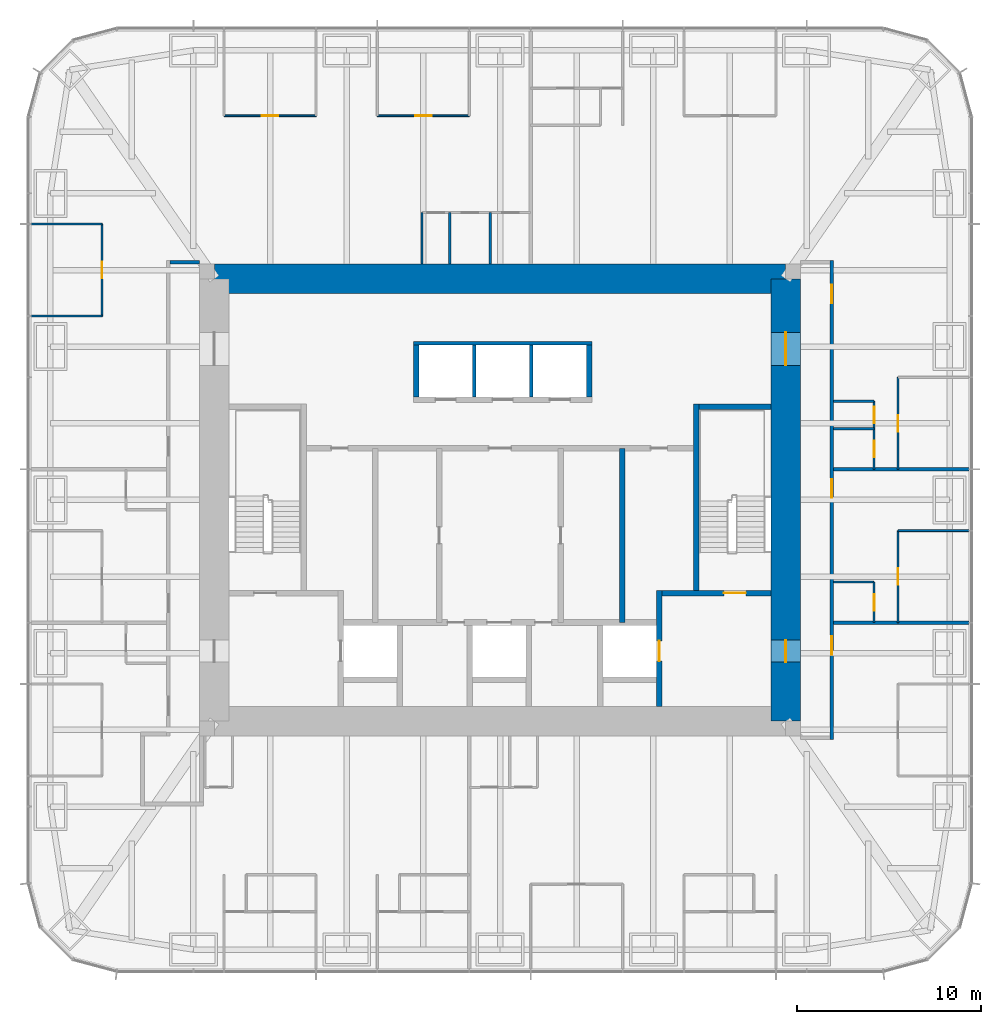
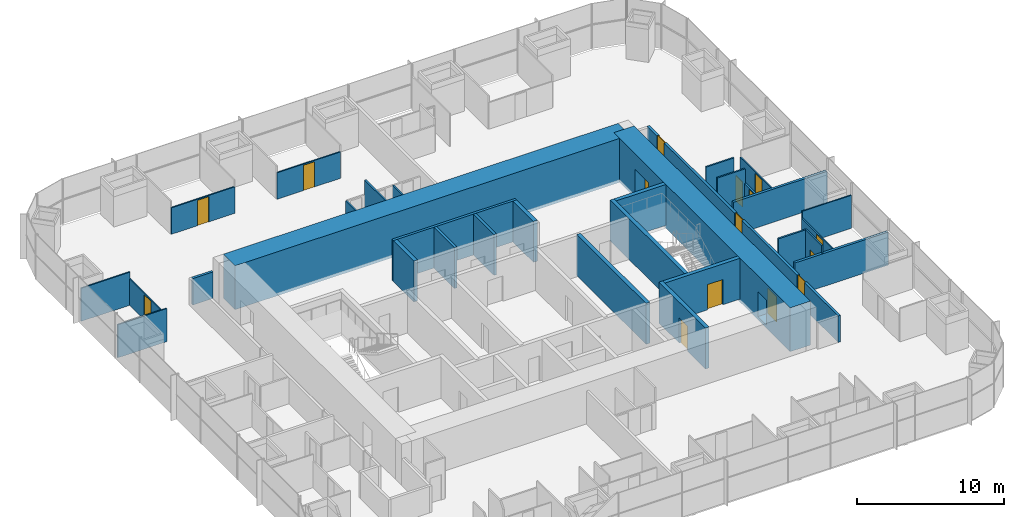
# One storey, part 11 of 13: 32 walls, 15 doors, 15 openings.
"""IFC4 building model written with IfcOpenShell, lengths in metres."""

import ifcopenshell
import ifcopenshell.guid

model = None  # the IFC model being written
_history = None  # IfcOwnerHistory: only IFC2X3 demands one
_inside = {}  # id of a spatial element -> (the spatial element, [elements in it])
_under = {}  # id of a project, library or spatial element -> (it, [spatial elements below it])
_declared = {}  # id of a project -> (the project, [libraries it declares])
_typed = {}  # id of a type object -> (the type object, [elements of that type])
_made_of = {}  # id of a material, layer set ... -> (it, [elements and type objects made of it])


def new_model(schema):
    """Start an empty IFC model of exactly this schema.

    Asked for "IFC4X3", IfcOpenShell would pick the latest addendum, in which some entities
    have other attributes; the version numbers below select the first issue.
    IFC2X3 requires an IfcOwnerHistory on every rooted entity: one is made here for all.
    """
    global model, _history
    if schema == "IFC4X3":
        model = ifcopenshell.file(schema_version=(4, 3, 0, 0))
    else:
        model = ifcopenshell.file(schema=schema)
    _inside.clear()
    _under.clear()
    _declared.clear()
    _typed.clear()
    _made_of.clear()
    _history = None
    if model.schema == "IFC2X3":
        org = make("IfcOrganization", Name="unknown")
        user = make(
            "IfcPersonAndOrganization",
            ThePerson=make("IfcPerson", FamilyName="unknown"),
            TheOrganization=org,
        )
        app = make(
            "IfcApplication",
            ApplicationDeveloper=org,
            Version="unknown",
            ApplicationFullName="unknown",
            ApplicationIdentifier="unknown",
        )
        _history = make(
            "IfcOwnerHistory",
            OwningUser=user,
            OwningApplication=app,
            ChangeAction="ADDED",
            CreationDate=0,
        )
    return model


def make(cls, **values):
    """One entity of the class cls with the attributes given. An attribute that is None is left unset."""
    return model.create_entity(
        cls, **{name: value for name, value in values.items() if value is not None}
    )


def rooted(cls, **values):
    """An entity with a GlobalId (a new one), such as an element, a storey or a relation."""
    return make(cls, GlobalId=ifcopenshell.guid.new(), OwnerHistory=_history, **values)


def si_unit(unit_type, name, prefix=None):
    """IfcSIUnit, for example si_unit("LENGTHUNIT", "METRE", prefix="MILLI")."""
    return make("IfcSIUnit", UnitType=unit_type, Prefix=prefix, Name=name)


def assignment(units):
    """IfcUnitAssignment: the units of a project."""
    return None if units is None else make("IfcUnitAssignment", Units=units)


def point(xyz):
    """IfcCartesianPoint."""
    return None if xyz is None else make("IfcCartesianPoint", Coordinates=xyz)


def direction(xyz):
    """IfcDirection."""
    return None if xyz is None else make("IfcDirection", DirectionRatios=xyz)


def frame(location, z_axis=None, x_axis=None):
    """IfcAxis2Placement3D, a coordinate frame: its origin and axes. An axis left out is left unset."""
    return make(
        "IfcAxis2Placement3D",
        Location=point(location),
        Axis=direction(z_axis),
        RefDirection=direction(x_axis),
    )


def frame_2d(location, x_axis=None):
    """IfcAxis2Placement2D, a coordinate frame in the plane: its origin and x axis."""
    return make(
        "IfcAxis2Placement2D", Location=point(location), RefDirection=direction(x_axis)
    )


def origin():
    """The frame at (0, 0, 0) with its axes left unset."""
    return frame((0.0, 0.0, 0.0))


def place(relative_to, where):
    """IfcLocalPlacement: puts the frame where relative to a parent placement (None: the world)."""
    return make(
        "IfcLocalPlacement", PlacementRelTo=relative_to, RelativePlacement=where
    )


def context(
    kind, dimensions, precision=None, world=None, true_north=None, identifier=None
):
    """IfcGeometricRepresentationContext, for example the 3D "Model" context."""
    return make(
        "IfcGeometricRepresentationContext",
        ContextIdentifier=identifier,
        ContextType=kind,
        CoordinateSpaceDimension=dimensions,
        Precision=precision,
        WorldCoordinateSystem=world,
        TrueNorth=true_north,
    )


def subcontext(parent, identifier, kind, view, scale=None):
    """IfcGeometricRepresentationSubContext, for example "Body" below "Model"."""
    return make(
        "IfcGeometricRepresentationSubContext",
        ContextIdentifier=identifier,
        ContextType=kind,
        ParentContext=parent,
        TargetScale=scale,
        TargetView=view,
    )


def project(units=None, contexts=None):
    """IfcProject with its units and contexts."""
    return rooted(
        "IfcProject",
        Name="project",
        RepresentationContexts=contexts,
        UnitsInContext=assignment(units),
    )


def spatial(cls, under=None, at=None, **own):
    """A site, building, storey or space (cls), placed at a placement, below another one or the project."""
    s = rooted(cls, ObjectPlacement=at, **own)
    if under is not None:
        _under.setdefault(under.id(), (under, []))[1].append(s)
    return s


def profile(cls, at=None, kind="AREA", **sizes):
    """A parametric profile (cls). Its sizes go by their IFC names, for example OverallWidth=200.0."""
    return make(cls, ProfileType=kind, Position=at, **sizes)


def rectangle(**sizes):
    """IfcRectangleProfileDef."""
    return profile("IfcRectangleProfileDef", **sizes)


def extrude(swept, where, along, depth):
    """IfcExtrudedAreaSolid: the profile swept, set in the frame where, extruded along a direction by depth."""
    return make(
        "IfcExtrudedAreaSolid",
        SweptArea=swept,
        Position=where,
        ExtrudedDirection=direction(along),
        Depth=depth,
    )


def shape(context_of_items, identifier, shape_type, items):
    """IfcShapeRepresentation: the items that make up one representation, for example the "Body"."""
    return make(
        "IfcShapeRepresentation",
        ContextOfItems=context_of_items,
        RepresentationIdentifier=identifier,
        RepresentationType=shape_type,
        Items=items,
    )


def material(Name=None, Category=None):
    """IfcMaterial."""
    return make("IfcMaterial", Name=Name, Category=Category)


def layer(
    of_material, thickness, ventilated=None, Name=None, Category=None, Priority=None
):
    """IfcMaterialLayer: one layer of a wall or slab, of a material (None: an air gap)."""
    return make(
        "IfcMaterialLayer",
        Material=of_material,
        LayerThickness=thickness,
        IsVentilated=ventilated,
        Name=Name,
        Category=Category,
        Priority=Priority,
    )


def layer_set(layers, Name=None):
    """IfcMaterialLayerSet."""
    return make("IfcMaterialLayerSet", MaterialLayers=layers, LayerSetName=Name)


def made_of(thing, what):
    """Note that an element or type object is made of a material, layer set ...; save() writes the relation."""
    if what is not None:
        _made_of.setdefault(what.id(), (what, []))[1].append(thing)
    return thing


def type_object(cls, material=None, **own):
    """A type object (cls), such as IfcWallType, which elements share."""
    return made_of(rooted(cls, **own), material)


def element(
    cls,
    number,
    at=None,
    inside=None,
    cuts=None,
    type_object=None,
    material=None,
    context=None,
    identifier="Body",
    shape_type=None,
    held_by="IfcProductDefinitionShape",
    body=None,
    shapes=None,
    **own,
):
    """One element of the class cls, such as IfcWall. Its Tag is "e" and its number.

    at: its placement. inside: the storey or other place that contains it. cuts: it is an
    opening in that element (IfcRelVoidsElement). A single representation is given by context,
    identifier, shape_type and body (its items); several are given by shapes. held_by: the class
    of the entity that holds the representations. save() writes the other relations.
    """
    e = rooted(cls, Tag="e%d" % number, ObjectPlacement=at, **own)
    if body is not None:
        shapes = [shape(context, identifier, shape_type, body)]
    if shapes is not None:
        e.Representation = make(held_by, Representations=shapes)
    if inside is not None:
        _inside.setdefault(inside.id(), (inside, []))[1].append(e)
    if cuts is not None:
        rooted(
            "IfcRelVoidsElement", RelatingBuildingElement=cuts, RelatedOpeningElement=e
        )
    if type_object is not None:
        _typed.setdefault(type_object.id(), (type_object, []))[1].append(e)
    return made_of(e, material)


def fill(opening, filler):
    """IfcRelFillsElement: the door or window that sits in an opening."""
    return rooted(
        "IfcRelFillsElement",
        RelatingOpeningElement=opening,
        RelatedBuildingElement=filler,
    )


def aggregate(whole, parts):
    """IfcRelAggregates: a whole, such as a stair, and the parts it consists of."""
    return rooted("IfcRelAggregates", RelatingObject=whole, RelatedObjects=parts)


def save(model, path):
    """Write the relations noted so far, then the file.

    IfcRelAggregates (storeys below a building ...), IfcRelContainedInSpatialStructure (elements
    in a storey), IfcRelDefinesByType, IfcRelAssociatesMaterial and IfcRelDeclares: one each for
    every whole, place, type object, material and project.
    """
    for whole, parts in _under.values():
        aggregate(whole, parts)
    for where, things in _inside.values():
        rooted(
            "IfcRelContainedInSpatialStructure",
            RelatedElements=things,
            RelatingStructure=where,
        )
    for kind, things in _typed.values():
        rooted("IfcRelDefinesByType", RelatedObjects=things, RelatingType=kind)
    for what, things in _made_of.values():
        rooted("IfcRelAssociatesMaterial", RelatedObjects=things, RelatingMaterial=what)
    for by, libraries in _declared.values():
        rooted("IfcRelDeclares", RelatingContext=by, RelatedDefinitions=libraries)
    model.write(path)


model = new_model("IFC4")

# Units and contexts
model_context = context("Model", 3, precision=1e-05, world=origin(), true_north=direction((0.0, 1.0)))
body_context = subcontext(model_context, "Body", "Model", "MODEL_VIEW")
ifc_project = project(units=[si_unit("LENGTHUNIT", "METRE"), si_unit("AREAUNIT", "SQUARE_METRE"), si_unit("VOLUMEUNIT", "CUBIC_METRE"), si_unit("PLANEANGLEUNIT", "RADIAN"), si_unit("MASSUNIT", "GRAM", prefix="KILO")], contexts=[model_context])

# Site, building, storey
site_placement = place(None, origin())
site = spatial("IfcSite", under=ifc_project, at=site_placement, CompositionType="ELEMENT")
building_placement = place(site_placement, origin())
building = spatial("IfcBuilding", under=site, at=building_placement, Name="Khuree Lantern Residences", CompositionType="ELEMENT")
storey_placement = place(building_placement, frame((0.0, 0.0, 274.5)))
storey = spatial("IfcBuildingStorey", under=building, at=storey_placement, Name="L69", CompositionType="ELEMENT", Elevation=274.5)

# Wall, opening, door
ifc_material_1 = material(Name="Moisture-resistant gypsum board on steel studs", Category="steel")
ifc_layer_1 = layer(ifc_material_1, 0.125)
ifc_layer_set_1 = layer_set([ifc_layer_1], Name="BATHROOM WALL BTW125")
wall_type_1 = type_object("IfcWallType", Name="BATHROOM WALL BTW125", PredefinedType="PARTITIONING", material=ifc_layer_set_1)
wall_1_placement = place(storey_placement, frame((20.300048828125, -6.656005859375, 0.0), z_axis=(0.0, 0.0, 1.0), x_axis=(0.0, 1.0, 0.0)))
wall_1 = element("IfcWall", 1, at=wall_1_placement, inside=storey, type_object=wall_type_1, Name="L69 BATHROOM WALL 01", PredefinedType="PARTITIONING", context=body_context, shape_type="SweptSolid", body=[
    extrude(rectangle(XDim=2.199951171875, YDim=0.125, at=frame_2d((1.10009765625, 0.0))), origin(), (0.0, 0.0, 1.0), 3.39990234375),
])
opening_1_placement = place(wall_1_placement, frame((0.64990234375, 0.0, 0.0)))
opening_1 = element("IfcOpeningElement", 2, at=opening_1_placement, cuts=wall_1, Name="Opening 69-021", PredefinedType="OPENING", context=body_context, shape_type="SweptSolid", body=[
    extrude(rectangle(XDim=0.89990234375, YDim=2.10009765625, at=frame_2d((0.449951171875, 1.050048828125))), frame((0.0, 0.072509765625, 0.0), z_axis=(0.0, -1.0, 0.0), x_axis=(1.0, 0.0, 0.0)), (0.0, 0.0, 1.0), 0.14501953125),
])
ifc_material_2 = material(Name="Timber door leaf in hardwood frame", Category="wood")
door_type_1 = type_object("IfcDoorType", Name="BATHROOM DOOR 900X2100", OperationType="SINGLE_SWING_LEFT", PredefinedType="DOOR", material=ifc_material_2)
door_1_placement = place(opening_1_placement, origin())
door_1 = element("IfcDoor", 3, at=door_1_placement, inside=storey, type_object=door_type_1, Name="Bathroom door 69-021", OperationType="SINGLE_SWING_LEFT", OverallHeight=2.10009765625, OverallWidth=0.89990234375, PredefinedType="DOOR", context=body_context, shape_type="SweptSolid", body=[
    extrude(rectangle(XDim=0.89990234375, YDim=2.10009765625, at=frame_2d((0.449951171875, 1.050048828125))), frame((0.0, 0.02490234375, 0.0), z_axis=(0.0, -1.0, 0.0), x_axis=(1.0, 0.0, 0.0)), (0.0, 0.0, 1.0), 0.050048828125),
])
fill(opening_1, door_1)

# Wall
wall_2_placement = place(storey_placement, frame((18.10009765625, -4.4560546875, 0.0), z_axis=(0.0, 0.0, 1.0), x_axis=(1.0, 0.0, 0.0)))
element("IfcWall", 4, at=wall_2_placement, inside=storey, type_object=wall_type_1, Name="L69 BATHROOM WALL 01", PredefinedType="PARTITIONING", context=body_context, shape_type="SweptSolid", body=[
    extrude(rectangle(XDim=2.199951171875, YDim=0.125, at=frame_2d((1.10009765625, 0.0))), origin(), (0.0, 0.0, 1.0), 3.39990234375),
])

# Wall, openings, doors
wall_3_placement = place(storey_placement, frame((20.300048828125, 1.6640625, 0.0), z_axis=(0.0, 0.0, 1.0), x_axis=(0.0, 1.0, 0.0)))
wall_3 = element("IfcWall", 5, at=wall_3_placement, inside=storey, type_object=wall_type_1, Name="L69 BATHROOM WALL 02", PredefinedType="PARTITIONING", context=body_context, shape_type="SweptSolid", body=[
    extrude(rectangle(XDim=3.699951171875, YDim=0.125, at=frame_2d((1.85009765625, 0.0))), origin(), (0.0, 0.0, 1.0), 2.199951171875),
])
opening_2_placement = place(wall_3_placement, frame((0.64990234375, 0.0, 0.0)))
opening_2 = element("IfcOpeningElement", 6, at=opening_2_placement, cuts=wall_3, Name="Opening 69-027", PredefinedType="OPENING", context=body_context, shape_type="SweptSolid", body=[
    extrude(rectangle(XDim=0.89990234375, YDim=2.10009765625, at=frame_2d((0.449951171875, 1.050048828125))), frame((0.0, 0.072509765625, 0.0), z_axis=(0.0, -1.0, 0.0), x_axis=(1.0, 0.0, 0.0)), (0.0, 0.0, 1.0), 0.14501953125),
])
opening_3_placement = place(wall_3_placement, frame((2.5, 0.0, 0.0)))
opening_3 = element("IfcOpeningElement", 7, at=opening_3_placement, cuts=wall_3, Name="Opening 69-028", PredefinedType="OPENING", context=body_context, shape_type="SweptSolid", body=[
    extrude(rectangle(XDim=0.89990234375, YDim=2.10009765625, at=frame_2d((0.449951171875, 1.050048828125))), frame((0.0, 0.072509765625, 0.0), z_axis=(0.0, -1.0, 0.0), x_axis=(1.0, 0.0, 0.0)), (0.0, 0.0, 1.0), 0.14501953125),
])
door_2_placement = place(opening_2_placement, origin())
door_2 = element("IfcDoor", 8, at=door_2_placement, inside=storey, type_object=door_type_1, Name="Bathroom door 69-027", OperationType="SINGLE_SWING_LEFT", OverallHeight=2.10009765625, OverallWidth=0.89990234375, PredefinedType="DOOR", context=body_context, shape_type="SweptSolid", body=[
    extrude(rectangle(XDim=0.89990234375, YDim=2.10009765625, at=frame_2d((0.449951171875, 1.050048828125))), frame((0.0, 0.02490234375, 0.0), z_axis=(0.0, -1.0, 0.0), x_axis=(1.0, 0.0, 0.0)), (0.0, 0.0, 1.0), 0.050048828125),
])
fill(opening_2, door_2)
door_type_2 = type_object("IfcDoorType", Name="WC DOOR 900X2100", OperationType="SINGLE_SWING_LEFT", PredefinedType="DOOR", material=ifc_material_2)
door_3_placement = place(opening_3_placement, origin())
door_3 = element("IfcDoor", 9, at=door_3_placement, inside=storey, type_object=door_type_2, Name="WC door 69-028", OperationType="SINGLE_SWING_LEFT", OverallHeight=2.10009765625, OverallWidth=0.89990234375, PredefinedType="DOOR", context=body_context, shape_type="SweptSolid", body=[
    extrude(rectangle(XDim=0.89990234375, YDim=2.10009765625, at=frame_2d((0.449951171875, 1.050048828125))), frame((0.0, 0.02490234375, 0.0), z_axis=(0.0, -1.0, 0.0), x_axis=(1.0, 0.0, 0.0)), (0.0, 0.0, 1.0), 0.050048828125),
])
fill(opening_3, door_3)

# Walls
for number, where, z_axis, x_axis, name in (
    (10, (18.10009765625, 3.864013671875, 0.0), (0.0, 0.0, 1.0), (1.0, 0.0, 0.0), "L69 BATHROOM WALL 02"),
    (11, (18.10009765625, 5.364013671875, 0.0), (0.0, 0.0, 1.0), (1.0, 0.0, 0.0), "L69 BATHROOM WALL 02"),
):
    element("IfcWall", number, at=place(storey_placement, frame(where, z_axis=z_axis, x_axis=x_axis)), inside=storey, type_object=wall_type_1, Name=name, PredefinedType="PARTITIONING", context=body_context, shape_type="SweptSolid", body=[
        extrude(rectangle(XDim=2.199951171875, YDim=0.125, at=frame_2d((1.10009765625, 0.0))), origin(), (0.0, 0.0, 1.0), 3.39990234375),
    ])
wall_4_placement = place(storey_placement, frame((-0.535888671875, 12.800048828125, 0.0), z_axis=(0.0, 0.0, 1.0), x_axis=(0.0, 1.0, 0.0)))
element("IfcWall", 12, at=wall_4_placement, inside=storey, type_object=wall_type_1, Name="L69 BATHROOM WALL 03", PredefinedType="PARTITIONING", context=body_context, shape_type="SweptSolid", body=[
    extrude(rectangle(XDim=2.800048828125, YDim=0.125, at=frame_2d((1.39990234375, 0.0))), origin(), (0.0, 0.0, 1.0), 2.199951171875),
])
wall_5_placement = place(storey_placement, frame((-2.736083984375, 12.800048828125, 0.0), z_axis=(0.0, 0.0, 1.0), x_axis=(0.0, 1.0, 0.0)))
element("IfcWall", 13, at=wall_5_placement, inside=storey, type_object=wall_type_1, Name="L69 BATHROOM WALL 03", PredefinedType="PARTITIONING", context=body_context, shape_type="SweptSolid", body=[
    extrude(rectangle(XDim=2.800048828125, YDim=0.125, at=frame_2d((1.39990234375, 0.0))), origin(), (0.0, 0.0, 1.0), 3.39990234375),
])
wall_6_placement = place(storey_placement, frame((-4.236083984375, 12.800048828125, 0.0), z_axis=(0.0, 0.0, 1.0), x_axis=(0.0, 1.0, 0.0)))
element("IfcWall", 14, at=wall_6_placement, inside=storey, type_object=wall_type_1, Name="L69 BATHROOM WALL 03", PredefinedType="PARTITIONING", context=body_context, shape_type="SweptSolid", body=[
    extrude(rectangle(XDim=2.800048828125, YDim=0.125, at=frame_2d((1.39990234375, 0.0))), origin(), (0.0, 0.0, 1.0), 2.199951171875),
])

# Wall, opening, door
ifc_material_3 = material(Name="Dense concrete blockwork", Category="masonry")
ifc_layer_2 = layer(ifc_material_3, 0.300048828125)
ifc_layer_set_2 = layer_set([ifc_layer_2], Name="CORE PARTITION WALL CPW300 EI 120")
wall_type_2 = type_object("IfcWallType", Name="CORE PARTITION WALL CPW300 EI 120", PredefinedType="PARTITIONING", material=ifc_layer_set_2)
wall_7_placement = place(storey_placement, frame((8.64990234375, -11.199951171875, 0.0), z_axis=(0.0, 0.0, 1.0), x_axis=(0.0, 1.0, 0.0)))
wall_7 = element("IfcWall", 15, at=wall_7_placement, inside=storey, type_object=wall_type_2, Name="L69 CORE WALL FL2E", PredefinedType="PARTITIONING", context=body_context, shape_type="SweptSolid", body=[
    extrude(rectangle(XDim=6.300048828125, YDim=0.300048828125, at=frame_2d((3.14990234375, 0.0))), origin(), (0.0, 0.0, 1.0), 3.39990234375),
])
opening_4_placement = place(wall_7_placement, frame((2.449951171875, 0.0, 0.0)))
opening_4 = element("IfcOpeningElement", 16, at=opening_4_placement, cuts=wall_7, Name="Opening 69-008", PredefinedType="OPENING", context=body_context, shape_type="SweptSolid", body=[
    extrude(rectangle(XDim=1.10009765625, YDim=2.10009765625, at=frame_2d((0.550048828125, 1.050048828125))), frame((0.0, 0.16015625, 0.0), z_axis=(0.0, -1.0, 0.0), x_axis=(1.0, 0.0, 0.0)), (0.0, 0.0, 1.0), 0.320068359375),
])
ifc_material_4 = material(Name="Stainless steel lift landing door", Category="steel")
door_type_3 = type_object("IfcDoorType", Name="LIFT LANDING DOOR 1100X2100 E 120", OperationType="DOUBLE_DOOR_SLIDING", PredefinedType="DOOR", material=ifc_material_4)
door_4_placement = place(opening_4_placement, origin())
door_4 = element("IfcDoor", 17, at=door_4_placement, inside=storey, type_object=door_type_3, Name="Landing door FL2 69-008", OperationType="DOUBLE_DOOR_SLIDING", OverallHeight=2.10009765625, OverallWidth=1.10009765625, PredefinedType="DOOR", context=body_context, shape_type="SweptSolid", body=[
    extrude(rectangle(XDim=1.10009765625, YDim=2.10009765625, at=frame_2d((0.550048828125, 1.050048828125))), frame((0.0, 0.02490234375, 0.0), z_axis=(0.0, -1.0, 0.0), x_axis=(1.0, 0.0, 0.0)), (0.0, 0.0, 1.0), 0.050048828125),
])
fill(opening_4, door_4)

# Walls
for number, where, z_axis, x_axis, name in (
    (18, (-4.550048828125, 5.60009765625, 0.0), (0.0, 0.0, 1.0), (0.0, 1.0, 0.0), "L69 CORE WALL PHW"),
    (19, (4.85009765625, 5.60009765625, 0.0), (0.0, 0.0, 1.0), (0.0, 1.0, 0.0), "L69 CORE WALL PHE"),
):
    element("IfcWall", number, at=place(storey_placement, frame(where, z_axis=z_axis, x_axis=x_axis)), inside=storey, type_object=wall_type_2, Name=name, PredefinedType="PARTITIONING", context=body_context, shape_type="SweptSolid", body=[
        extrude(rectangle(XDim=2.7998046875, YDim=0.300048828125, at=frame_2d((1.39990234375, 0.0))), origin(), (0.0, 0.0, 1.0), 3.39990234375),
    ])
wall_8_placement = place(storey_placement, frame((6.6220703125, -6.64990234375, 0.0), z_axis=(0.0, 0.0, 1.0), x_axis=(0.0, 1.0, 0.0)))
element("IfcWall", 20, at=wall_8_placement, inside=storey, type_object=wall_type_2, Name="L69 CORE WALL EV", PredefinedType="PARTITIONING", context=body_context, shape_type="SweptSolid", body=[
    extrude(rectangle(XDim=9.449951171875, YDim=0.300048828125, at=frame_2d((4.72509765625, 0.0))), origin(), (0.0, 0.0, 1.0), 3.39990234375),
])
ifc_material_5 = material(Name="Gypsum board on steel studs", Category="steel")
ifc_layer_3 = layer(ifc_material_5, 0.199951171875)
ifc_layer_set_3 = layer_set([ifc_layer_3], Name="CORRIDOR WALL CRW200 EI 60")
wall_type_3 = type_object("IfcWallType", Name="CORRIDOR WALL CRW200 EI 60", PredefinedType="PARTITIONING", material=ifc_layer_set_3)
wall_9_placement = place(storey_placement, frame((-16.300048828125, 12.89990234375, 0.0), z_axis=(0.0, 0.0, 1.0), x_axis=(-1.0, 0.0, 0.0)))
element("IfcWall", 21, at=wall_9_placement, inside=storey, type_object=wall_type_3, Name="L69 WEST CORRIDOR NORTH END WALL", PredefinedType="PARTITIONING", context=body_context, shape_type="SweptSolid", body=[
    extrude(rectangle(XDim=1.599853515625, YDim=0.199951171875, at=frame_2d((0.7998046875, 0.0))), origin(), (0.0, 0.0, 1.0), 2.199951171875),
])

# Wall, openings, doors
wall_10_placement = place(storey_placement, frame((18.0, -13.0, 0.0), z_axis=(0.0, 0.0, 1.0), x_axis=(0.0, 1.0, 0.0)))
wall_10 = element("IfcWall", 22, at=wall_10_placement, inside=storey, type_object=wall_type_3, Name="L69 CORRIDOR WALL EAST 1", PredefinedType="PARTITIONING", context=body_context, shape_type="SweptSolid", body=[
    extrude(rectangle(XDim=26.0, YDim=0.199951171875, at=frame_2d((13.0, 0.0))), origin(), (0.0, 0.0, 1.0), 2.199951171875),
])
opening_5_placement = place(wall_10_placement, frame((13.114013671875, 0.0, 0.0)))
opening_5 = element("IfcOpeningElement", 23, at=opening_5_placement, cuts=wall_10, Name="Opening 69-022", PredefinedType="OPENING", context=body_context, shape_type="SweptSolid", body=[
    extrude(rectangle(XDim=1.0, YDim=2.199951171875, at=frame_2d((0.5, 1.10009765625))), frame((0.0, 0.10986328125, 0.0), z_axis=(0.0, -1.0, 0.0), x_axis=(1.0, 0.0, 0.0)), (0.0, 0.0, 1.0), 0.219970703125),
])
opening_6_placement = place(wall_10_placement, frame((23.68408203125, 0.0, 0.0)))
opening_6 = element("IfcOpeningElement", 24, at=opening_6_placement, cuts=wall_10, Name="Opening 69-029", PredefinedType="OPENING", context=body_context, shape_type="SweptSolid", body=[
    extrude(rectangle(XDim=1.0, YDim=2.199951171875, at=frame_2d((0.5, 1.10009765625))), frame((0.0, 0.10986328125, 0.0), z_axis=(0.0, -1.0, 0.0), x_axis=(1.0, 0.0, 0.0)), (0.0, 0.0, 1.0), 0.219970703125),
])
opening_7_placement = place(wall_10_placement, frame((4.60009765625, 0.0, 0.0)))
opening_7 = element("IfcOpeningElement", 25, at=opening_7_placement, cuts=wall_10, Name="Opening 69-054", PredefinedType="OPENING", context=body_context, shape_type="SweptSolid", body=[
    extrude(rectangle(XDim=1.0, YDim=2.199951171875, at=frame_2d((0.5, 1.10009765625))), frame((0.0, 0.10986328125, 0.0), z_axis=(0.0, -1.0, 0.0), x_axis=(1.0, 0.0, 0.0)), (0.0, 0.0, 1.0), 0.219970703125),
])
door_type_4 = type_object("IfcDoorType", Name="APARTMENT ENTRANCE DOOR 1000X2200 EI 30S", OperationType="SINGLE_SWING_LEFT", PredefinedType="DOOR", material=ifc_material_2)
door_5_placement = place(opening_5_placement, origin())
door_5 = element("IfcDoor", 26, at=door_5_placement, inside=storey, type_object=door_type_4, Name="Apartment 01 entrance door 69-022", OperationType="SINGLE_SWING_LEFT", OverallHeight=2.199951171875, OverallWidth=1.0, PredefinedType="DOOR", context=body_context, shape_type="SweptSolid", body=[
    extrude(rectangle(XDim=1.0, YDim=2.199951171875, at=frame_2d((0.5, 1.10009765625))), frame((0.0, 0.02490234375, 0.0), z_axis=(0.0, -1.0, 0.0), x_axis=(1.0, 0.0, 0.0)), (0.0, 0.0, 1.0), 0.050048828125),
])
fill(opening_5, door_5)
door_6_placement = place(opening_7_placement, origin())
door_6 = element("IfcDoor", 27, at=door_6_placement, inside=storey, type_object=door_type_4, Name="Apartment 06 entrance door 69-054", OperationType="SINGLE_SWING_LEFT", OverallHeight=2.199951171875, OverallWidth=1.0, PredefinedType="DOOR", context=body_context, shape_type="SweptSolid", body=[
    extrude(rectangle(XDim=1.0, YDim=2.199951171875, at=frame_2d((0.5, 1.10009765625))), frame((0.0, 0.02490234375, 0.0), z_axis=(0.0, -1.0, 0.0), x_axis=(1.0, 0.0, 0.0)), (0.0, 0.0, 1.0), 0.050048828125),
])
fill(opening_7, door_6)
door_type_5 = type_object("IfcDoorType", Name="APARTMENT ENTRANCE DOOR 1000X2200 EI 30S RIGHT HAND", OperationType="SINGLE_SWING_RIGHT", PredefinedType="DOOR", material=ifc_material_2)
door_7_placement = place(opening_6_placement, origin())
door_7 = element("IfcDoor", 28, at=door_7_placement, inside=storey, type_object=door_type_5, Name="Apartment 02 entrance door 69-029", OperationType="SINGLE_SWING_RIGHT", OverallHeight=2.199951171875, OverallWidth=1.0, PredefinedType="DOOR", context=body_context, shape_type="SweptSolid", body=[
    extrude(rectangle(XDim=1.0, YDim=2.199951171875, at=frame_2d((0.5, 1.10009765625))), frame((0.0, 0.02490234375, 0.0), z_axis=(0.0, -1.0, 0.0), x_axis=(1.0, 0.0, 0.0)), (0.0, 0.0, 1.0), 0.050048828125),
])
fill(opening_6, door_7)

ifc_material_6 = material(Name="Concrete C50/60", Category="concrete")
ifc_layer_4 = layer(ifc_material_6, 1.60009765625)
ifc_layer_set_4 = layer_set([ifc_layer_4], Name="CW1600-C50 CORE WALL C50 1600")
wall_type_4 = type_object("IfcWallType", Name="CW1600-C50 CORE WALL C50 1600", PredefinedType="SHEAR", material=ifc_layer_set_4)
wall_11_placement = place(storey_placement, frame((15.5, -12.0, -0.25), z_axis=(0.0, 0.0, 1.0), x_axis=(0.0, 1.0, 0.0)))
wall_11 = element("IfcWall", 29, at=wall_11_placement, inside=storey, type_object=wall_type_4, Name="Core wall E", PredefinedType="SHEAR", context=body_context, shape_type="SweptSolid", body=[
    extrude(rectangle(XDim=24.0, YDim=1.60009765625, at=frame_2d((12.0, 0.0))), origin(), (0.0, 0.0, 1.0), 3.64990234375),
])
opening_8_placement = place(wall_11_placement, frame((3.199951171875, 0.0, 0.25)))
opening_8 = element("IfcOpeningElement", 30, at=opening_8_placement, cuts=wall_11, Name="Opening 69-005", PredefinedType="OPENING", context=body_context, shape_type="SweptSolid", body=[
    extrude(rectangle(XDim=1.199951171875, YDim=2.10009765625, at=frame_2d((0.60009765625, 1.050048828125))), frame((0.0, 0.81005859375, 0.0), z_axis=(0.0, -1.0, 0.0), x_axis=(1.0, 0.0, 0.0)), (0.0, 0.0, 1.0), 1.6201171875),
])
opening_9_placement = place(wall_11_placement, frame((19.300048828125, 0.0, 0.25)))
opening_9 = element("IfcOpeningElement", 31, at=opening_9_placement, cuts=wall_11, Name="Opening 69-006", PredefinedType="OPENING", context=body_context, shape_type="SweptSolid", body=[
    extrude(rectangle(XDim=1.800048828125, YDim=2.10009765625, at=frame_2d((0.89990234375, 1.050048828125))), frame((0.0, 0.81005859375, 0.0), z_axis=(0.0, -1.0, 0.0), x_axis=(1.0, 0.0, 0.0)), (0.0, 0.0, 1.0), 1.6201171875),
])
ifc_material_7 = material(Name="Steel door leaf in steel frame", Category="steel")
door_type_6 = type_object("IfcDoorType", Name="LOBBY DOOR 1200X2100 EI 120", OperationType="SINGLE_SWING_LEFT", PredefinedType="DOOR", material=ifc_material_7)
door_8_placement = place(opening_8_placement, origin())
door_8 = element("IfcDoor", 32, at=door_8_placement, inside=storey, type_object=door_type_6, Name="Firefighting lobby door 69-005", OperationType="SINGLE_SWING_LEFT", OverallHeight=2.10009765625, OverallWidth=1.199951171875, PredefinedType="DOOR", context=body_context, shape_type="SweptSolid", body=[
    extrude(rectangle(XDim=1.199951171875, YDim=2.10009765625, at=frame_2d((0.60009765625, 1.050048828125))), frame((0.0, 0.02490234375, 0.0), z_axis=(0.0, -1.0, 0.0), x_axis=(1.0, 0.0, 0.0)), (0.0, 0.0, 1.0), 0.050048828125),
])
fill(opening_8, door_8)
door_type_7 = type_object("IfcDoorType", Name="LOBBY DOUBLE DOOR 1800X2100 EI 60", OperationType="DOUBLE_DOOR_SINGLE_SWING", PredefinedType="DOOR", material=ifc_material_7)
door_9_placement = place(opening_9_placement, origin())
door_9 = element("IfcDoor", 33, at=door_9_placement, inside=storey, type_object=door_type_7, Name="Lift lobby door 69-006", OperationType="DOUBLE_DOOR_SINGLE_SWING", OverallHeight=2.10009765625, OverallWidth=1.800048828125, PredefinedType="DOOR", context=body_context, shape_type="SweptSolid", body=[
    extrude(rectangle(XDim=1.800048828125, YDim=2.10009765625, at=frame_2d((0.89990234375, 1.050048828125))), frame((0.0, 0.02490234375, 0.0), z_axis=(0.0, -1.0, 0.0), x_axis=(1.0, 0.0, 0.0)), (0.0, 0.0, 1.0), 0.050048828125),
])
fill(opening_9, door_9)

# Walls
wall_12_placement = place(storey_placement, frame((-15.5, 12.0, -0.25), z_axis=(0.0, 0.0, 1.0), x_axis=(1.0, 0.0, 0.0)))
element("IfcWall", 34, at=wall_12_placement, inside=storey, type_object=wall_type_4, Name="Core wall N", PredefinedType="SHEAR", context=body_context, shape_type="SweptSolid", body=[
    extrude(rectangle(XDim=31.0, YDim=1.60009765625, at=frame_2d((15.5, 0.0))), origin(), (0.0, 0.0, 1.0), 3.64990234375),
])
ifc_layer_5 = layer(ifc_material_5, 0.199951171875)
ifc_layer_set_5 = layer_set([ifc_layer_5], Name="DEMISING WALL DMW200 EI 90")
wall_type_5 = type_object("IfcWallType", Name="DEMISING WALL DMW200 EI 90", PredefinedType="PARTITIONING", material=ifc_layer_set_5)
for number, where, z_axis, x_axis, name in (
    (35, (18.10009765625, -6.656005859375, 0.0), (0.0, 0.0, 1.0), (1.0, 0.0, 0.0), "L69 DEMISING WALL 01"),
    (36, (18.10009765625, 1.6640625, 0.0), (0.0, 0.0, 1.0), (1.0, 0.0, 0.0), "L69 DEMISING WALL 02"),
):
    element("IfcWall", number, at=place(storey_placement, frame(where, z_axis=z_axis, x_axis=x_axis)), inside=storey, type_object=wall_type_5, Name=name, PredefinedType="PARTITIONING", context=body_context, shape_type="SweptSolid", body=[
        extrude(rectangle(XDim=7.349853515625, YDim=0.199951171875, at=frame_2d((3.6748046875, 0.0))), origin(), (0.0, 0.0, 1.0), 2.75),
    ])
ifc_layer_6 = layer(ifc_material_5, 0.10009765625)
ifc_layer_set_6 = layer_set([ifc_layer_6], Name="PARTITION PT100")
wall_type_6 = type_object("IfcWallType", Name="PARTITION PT100", PredefinedType="PARTITIONING", material=ifc_layer_set_6)
for number, where, z_axis, x_axis, name in (
    (37, (21.60009765625, -1.6640625, 0.0), (0.0, 0.0, 1.0), (1.0, 0.0, 0.0), "L69 PARTITION 01"),
    (38, (-21.60009765625, 14.97607421875, 0.0), (0.0, 0.0, 1.0), (-1.0, 0.0, 0.0), "L69 PARTITION 03"),
    (39, (-21.60009765625, 9.98388671875, 0.0), (0.0, 0.0, 1.0), (-1.0, 0.0, 0.0), "L69 PARTITION 03"),
):
    element("IfcWall", number, at=place(storey_placement, frame(where, z_axis=z_axis, x_axis=x_axis)), inside=storey, type_object=wall_type_6, Name=name, PredefinedType="PARTITIONING", context=body_context, shape_type="SweptSolid", body=[
        extrude(rectangle(XDim=3.849853515625, YDim=0.10009765625, at=frame_2d((1.9248046875, 0.0))), origin(), (0.0, 0.0, 1.0), 2.75),
    ])

# Wall, opening, door
wall_13_placement = place(storey_placement, frame((21.60009765625, -6.656005859375, 0.0), z_axis=(0.0, 0.0, 1.0), x_axis=(0.0, 1.0, 0.0)))
wall_13 = element("IfcWall", 40, at=wall_13_placement, inside=storey, type_object=wall_type_6, Name="L69 PARTITION 01", PredefinedType="PARTITIONING", context=body_context, shape_type="SweptSolid", body=[
    extrude(rectangle(XDim=4.991943359375, YDim=0.10009765625, at=frame_2d((2.49609375, 0.0))), origin(), (0.0, 0.0, 1.0), 2.199951171875),
])
opening_10_placement = place(wall_13_placement, frame((2.0458984375, 0.0, 0.0)))
opening_10 = element("IfcOpeningElement", 41, at=opening_10_placement, cuts=wall_13, Name="Opening 69-020", PredefinedType="OPENING", context=body_context, shape_type="SweptSolid", body=[
    extrude(rectangle(XDim=0.89990234375, YDim=2.10009765625, at=frame_2d((0.449951171875, 1.050048828125))), frame((0.0, 0.06005859375, 0.0), z_axis=(0.0, -1.0, 0.0), x_axis=(1.0, 0.0, 0.0)), (0.0, 0.0, 1.0), 0.1201171875),
])
door_type_8 = type_object("IfcDoorType", Name="BEDROOM DOOR 900X2100", OperationType="SINGLE_SWING_LEFT", PredefinedType="DOOR", material=ifc_material_2)
door_10_placement = place(opening_10_placement, origin())
door_10 = element("IfcDoor", 42, at=door_10_placement, inside=storey, type_object=door_type_8, Name="Bedroom door 69-020", OperationType="SINGLE_SWING_LEFT", OverallHeight=2.10009765625, OverallWidth=0.89990234375, PredefinedType="DOOR", context=body_context, shape_type="SweptSolid", body=[
    extrude(rectangle(XDim=0.89990234375, YDim=2.10009765625, at=frame_2d((0.449951171875, 1.050048828125))), frame((0.0, 0.02490234375, 0.0), z_axis=(0.0, -1.0, 0.0), x_axis=(1.0, 0.0, 0.0)), (0.0, 0.0, 1.0), 0.050048828125),
])
fill(opening_10, door_10)

wall_14_placement = place(storey_placement, frame((21.60009765625, 1.6640625, 0.0), z_axis=(0.0, 0.0, 1.0), x_axis=(0.0, 1.0, 0.0)))
wall_14 = element("IfcWall", 43, at=wall_14_placement, inside=storey, type_object=wall_type_6, Name="L69 PARTITION 02", PredefinedType="PARTITIONING", context=body_context, shape_type="SweptSolid", body=[
    extrude(rectangle(XDim=4.991943359375, YDim=0.10009765625, at=frame_2d((2.49609375, 0.0))), origin(), (0.0, 0.0, 1.0), 2.199951171875),
])
opening_11_placement = place(wall_14_placement, frame((2.0458984375, 0.0, 0.0)))
opening_11 = element("IfcOpeningElement", 44, at=opening_11_placement, cuts=wall_14, Name="Opening 69-023", PredefinedType="OPENING", context=body_context, shape_type="SweptSolid", body=[
    extrude(rectangle(XDim=0.89990234375, YDim=2.10009765625, at=frame_2d((0.449951171875, 1.050048828125))), frame((0.0, 0.06005859375, 0.0), z_axis=(0.0, -1.0, 0.0), x_axis=(1.0, 0.0, 0.0)), (0.0, 0.0, 1.0), 0.1201171875),
])
door_11_placement = place(opening_11_placement, origin())
door_11 = element("IfcDoor", 45, at=door_11_placement, inside=storey, type_object=door_type_8, Name="Bedroom door 69-023", OperationType="SINGLE_SWING_LEFT", OverallHeight=2.10009765625, OverallWidth=0.89990234375, PredefinedType="DOOR", context=body_context, shape_type="SweptSolid", body=[
    extrude(rectangle(XDim=0.89990234375, YDim=2.10009765625, at=frame_2d((0.449951171875, 1.050048828125))), frame((0.0, 0.02490234375, 0.0), z_axis=(0.0, -1.0, 0.0), x_axis=(1.0, 0.0, 0.0)), (0.0, 0.0, 1.0), 0.050048828125),
])
fill(opening_11, door_11)

wall_15_placement = place(storey_placement, frame((-1.6640625, 20.85009765625, 0.0), z_axis=(0.0, 0.0, 1.0), x_axis=(-1.0, 0.0, 0.0)))
wall_15 = element("IfcWall", 46, at=wall_15_placement, inside=storey, type_object=wall_type_6, Name="L69 PARTITION 03", PredefinedType="PARTITIONING", context=body_context, shape_type="SweptSolid", body=[
    extrude(rectangle(XDim=4.991943359375, YDim=0.10009765625, at=frame_2d((2.49609375, 0.0))), origin(), (0.0, 0.0, 1.0), 2.199951171875),
])
opening_12_placement = place(wall_15_placement, frame((2.0458984375, 0.0, 0.0)))
opening_12 = element("IfcOpeningElement", 47, at=opening_12_placement, cuts=wall_15, Name="Opening 69-030", PredefinedType="OPENING", context=body_context, shape_type="SweptSolid", body=[
    extrude(rectangle(XDim=0.89990234375, YDim=2.10009765625, at=frame_2d((0.449951171875, 1.050048828125))), frame((0.0, 0.06005859375, 0.0), z_axis=(0.0, -1.0, 0.0), x_axis=(1.0, 0.0, 0.0)), (0.0, 0.0, 1.0), 0.1201171875),
])
door_12_placement = place(opening_12_placement, origin())
door_12 = element("IfcDoor", 48, at=door_12_placement, inside=storey, type_object=door_type_8, Name="Bedroom door 69-030", OperationType="SINGLE_SWING_LEFT", OverallHeight=2.10009765625, OverallWidth=0.89990234375, PredefinedType="DOOR", context=body_context, shape_type="SweptSolid", body=[
    extrude(rectangle(XDim=0.89990234375, YDim=2.10009765625, at=frame_2d((0.449951171875, 1.050048828125))), frame((0.0, 0.02490234375, 0.0), z_axis=(0.0, -1.0, 0.0), x_axis=(1.0, 0.0, 0.0)), (0.0, 0.0, 1.0), 0.050048828125),
])
fill(opening_12, door_12)

wall_16_placement = place(storey_placement, frame((-9.98388671875, 20.85009765625, 0.0), z_axis=(0.0, 0.0, 1.0), x_axis=(-1.0, 0.0, 0.0)))
wall_16 = element("IfcWall", 49, at=wall_16_placement, inside=storey, type_object=wall_type_6, Name="L69 PARTITION 03", PredefinedType="PARTITIONING", context=body_context, shape_type="SweptSolid", body=[
    extrude(rectangle(XDim=4.9921875, YDim=0.10009765625, at=frame_2d((2.49609375, 0.0))), origin(), (0.0, 0.0, 1.0), 2.199951171875),
])
opening_13_placement = place(wall_16_placement, frame((2.0458984375, 0.0, 0.0)))
opening_13 = element("IfcOpeningElement", 50, at=opening_13_placement, cuts=wall_16, Name="Opening 69-031", PredefinedType="OPENING", context=body_context, shape_type="SweptSolid", body=[
    extrude(rectangle(XDim=0.89990234375, YDim=2.10009765625, at=frame_2d((0.449951171875, 1.050048828125))), frame((0.0, 0.06005859375, 0.0), z_axis=(0.0, -1.0, 0.0), x_axis=(1.0, 0.0, 0.0)), (0.0, 0.0, 1.0), 0.1201171875),
])
door_13_placement = place(opening_13_placement, origin())
door_13 = element("IfcDoor", 51, at=door_13_placement, inside=storey, type_object=door_type_8, Name="Bedroom door 69-031", OperationType="SINGLE_SWING_LEFT", OverallHeight=2.10009765625, OverallWidth=0.89990234375, PredefinedType="DOOR", context=body_context, shape_type="SweptSolid", body=[
    extrude(rectangle(XDim=0.89990234375, YDim=2.10009765625, at=frame_2d((0.449951171875, 1.050048828125))), frame((0.0, 0.02490234375, 0.0), z_axis=(0.0, -1.0, 0.0), x_axis=(1.0, 0.0, 0.0)), (0.0, 0.0, 1.0), 0.050048828125),
])
fill(opening_13, door_13)

wall_17_placement = place(storey_placement, frame((-21.60009765625, 14.97607421875, 0.0), z_axis=(0.0, 0.0, 1.0), x_axis=(0.0, -1.0, 0.0)))
wall_17 = element("IfcWall", 52, at=wall_17_placement, inside=storey, type_object=wall_type_6, Name="L69 PARTITION 03", PredefinedType="PARTITIONING", context=body_context, shape_type="SweptSolid", body=[
    extrude(rectangle(XDim=4.9921875, YDim=0.10009765625, at=frame_2d((2.49609375, 0.0))), origin(), (0.0, 0.0, 1.0), 2.199951171875),
])
opening_14_placement = place(wall_17_placement, frame((2.0458984375, 0.0, 0.0)))
opening_14 = element("IfcOpeningElement", 53, at=opening_14_placement, cuts=wall_17, Name="Opening 69-032", PredefinedType="OPENING", context=body_context, shape_type="SweptSolid", body=[
    extrude(rectangle(XDim=0.89990234375, YDim=2.10009765625, at=frame_2d((0.449951171875, 1.050048828125))), frame((0.0, 0.06005859375, 0.0), z_axis=(0.0, -1.0, 0.0), x_axis=(1.0, 0.0, 0.0)), (0.0, 0.0, 1.0), 0.1201171875),
])
door_14_placement = place(opening_14_placement, origin())
door_14 = element("IfcDoor", 54, at=door_14_placement, inside=storey, type_object=door_type_8, Name="Bedroom door 69-032", OperationType="SINGLE_SWING_LEFT", OverallHeight=2.10009765625, OverallWidth=0.89990234375, PredefinedType="DOOR", context=body_context, shape_type="SweptSolid", body=[
    extrude(rectangle(XDim=0.89990234375, YDim=2.10009765625, at=frame_2d((0.449951171875, 1.050048828125))), frame((0.0, 0.02490234375, 0.0), z_axis=(0.0, -1.0, 0.0), x_axis=(1.0, 0.0, 0.0)), (0.0, 0.0, 1.0), 0.050048828125),
])
fill(opening_14, door_14)

# Walls
ifc_layer_7 = layer(ifc_material_3, 0.199951171875)
ifc_layer_set_7 = layer_set([ifc_layer_7], Name="SHAFT WALL SHW200 EI 120")
wall_type_7 = type_object("IfcWallType", Name="SHAFT WALL SHW200 EI 120", PredefinedType="PARTITIONING", material=ifc_layer_set_7)
wall_18_placement = place(storey_placement, frame((-4.699951171875, 8.5, 0.0), z_axis=(0.0, 0.0, 1.0), x_axis=(1.0, 0.0, 0.0)))
element("IfcWall", 55, at=wall_18_placement, inside=storey, type_object=wall_type_7, Name="L69 CORE WALL PHN", PredefinedType="PARTITIONING", context=body_context, shape_type="SweptSolid", body=[
    extrude(rectangle(XDim=9.699951171875, YDim=0.199951171875, at=frame_2d((4.85009765625, 0.0))), origin(), (0.0, 0.0, 1.0), 3.39990234375),
])
for number, where, z_axis, x_axis, name in (
    (56, (-1.39990234375, 5.60009765625, 0.0), (0.0, 0.0, 1.0), (0.0, 1.0, 0.0), "L69 CORE WALL PHD1"),
    (57, (1.699951171875, 5.60009765625, 0.0), (0.0, 0.0, 1.0), (0.0, 1.0, 0.0), "L69 CORE WALL PHD2"),
):
    element("IfcWall", number, at=place(storey_placement, frame(where, z_axis=z_axis, x_axis=x_axis)), inside=storey, type_object=wall_type_7, Name=name, PredefinedType="PARTITIONING", context=body_context, shape_type="SweptSolid", body=[
        extrude(rectangle(XDim=2.7998046875, YDim=0.199951171875, at=frame_2d((1.39990234375, 0.0))), origin(), (0.0, 0.0, 1.0), 3.39990234375),
    ])
ifc_layer_8 = layer(ifc_material_6, 0.300048828125)
ifc_layer_set_8 = layer_set([ifc_layer_8], Name="STAIR WALL SRW300 C50/60 REI 240")
wall_type_8 = type_object("IfcWallType", Name="STAIR WALL SRW300 C50/60 REI 240", PredefinedType="SOLIDWALL", material=ifc_layer_set_8)
wall_19_placement = place(storey_placement, frame((10.64990234375, -4.89990234375, 0.0), z_axis=(0.0, 0.0, 1.0), x_axis=(0.0, 1.0, 0.0)))
element("IfcWall", 58, at=wall_19_placement, inside=storey, type_object=wall_type_8, Name="L69 STAIR WALL ST2E", PredefinedType="SOLIDWALL", context=body_context, shape_type="SweptSolid", body=[
    extrude(rectangle(XDim=10.099853515625, YDim=0.300048828125, at=frame_2d((5.0498046875, 0.0))), origin(), (0.0, 0.0, 1.0), 3.39990234375),
])

# Wall, opening, door
wall_20_placement = place(storey_placement, frame((14.699951171875, -5.050048828125, 0.0), z_axis=(0.0, 0.0, 1.0), x_axis=(-1.0, 0.0, 0.0)))
wall_20 = element("IfcWall", 59, at=wall_20_placement, inside=storey, type_object=wall_type_8, Name="L69 STAIR WALL ST2S", PredefinedType="SOLIDWALL", context=body_context, shape_type="SweptSolid", body=[
    extrude(rectangle(XDim=5.89990234375, YDim=0.300048828125, at=frame_2d((2.949951171875, 0.0))), origin(), (0.0, 0.0, 1.0), 3.39990234375),
])
opening_15_placement = place(wall_20_placement, frame((1.35009765625, 0.0, 0.0)))
opening_15 = element("IfcOpeningElement", 60, at=opening_15_placement, cuts=wall_20, Name="Opening 69-004", PredefinedType="OPENING", context=body_context, shape_type="SweptSolid", body=[
    extrude(rectangle(XDim=1.199951171875, YDim=2.10009765625, at=frame_2d((0.60009765625, 1.050048828125))), frame((0.0, 0.16015625, 0.0), z_axis=(0.0, -1.0, 0.0), x_axis=(1.0, 0.0, 0.0)), (0.0, 0.0, 1.0), 0.320068359375),
])
door_type_9 = type_object("IfcDoorType", Name="STAIR DOOR 1200X2100 EI 120", OperationType="SINGLE_SWING_LEFT", PredefinedType="DOOR", material=ifc_material_7)
door_15_placement = place(opening_15_placement, origin())
door_15 = element("IfcDoor", 61, at=door_15_placement, inside=storey, type_object=door_type_9, Name="Stair ST2 door 69-004", OperationType="SINGLE_SWING_LEFT", OverallHeight=2.10009765625, OverallWidth=1.199951171875, PredefinedType="DOOR", context=body_context, shape_type="SweptSolid", body=[
    extrude(rectangle(XDim=1.199951171875, YDim=2.10009765625, at=frame_2d((0.60009765625, 1.050048828125))), frame((0.0, 0.02490234375, 0.0), z_axis=(0.0, -1.0, 0.0), x_axis=(1.0, 0.0, 0.0)), (0.0, 0.0, 1.0), 0.050048828125),
])
fill(opening_15, door_15)

# Wall
wall_21_placement = place(storey_placement, frame((14.699951171875, 5.050048828125, 0.0), z_axis=(0.0, 0.0, 1.0), x_axis=(-1.0, 0.0, 0.0)))
element("IfcWall", 62, at=wall_21_placement, inside=storey, type_object=wall_type_8, Name="L69 STAIR WALL ST2N", PredefinedType="SOLIDWALL", context=body_context, shape_type="SweptSolid", body=[
    extrude(rectangle(XDim=3.89990234375, YDim=0.300048828125, at=frame_2d((1.949951171875, 0.0))), origin(), (0.0, 0.0, 1.0), 3.39990234375),
])

save(model, "model.ifc")
